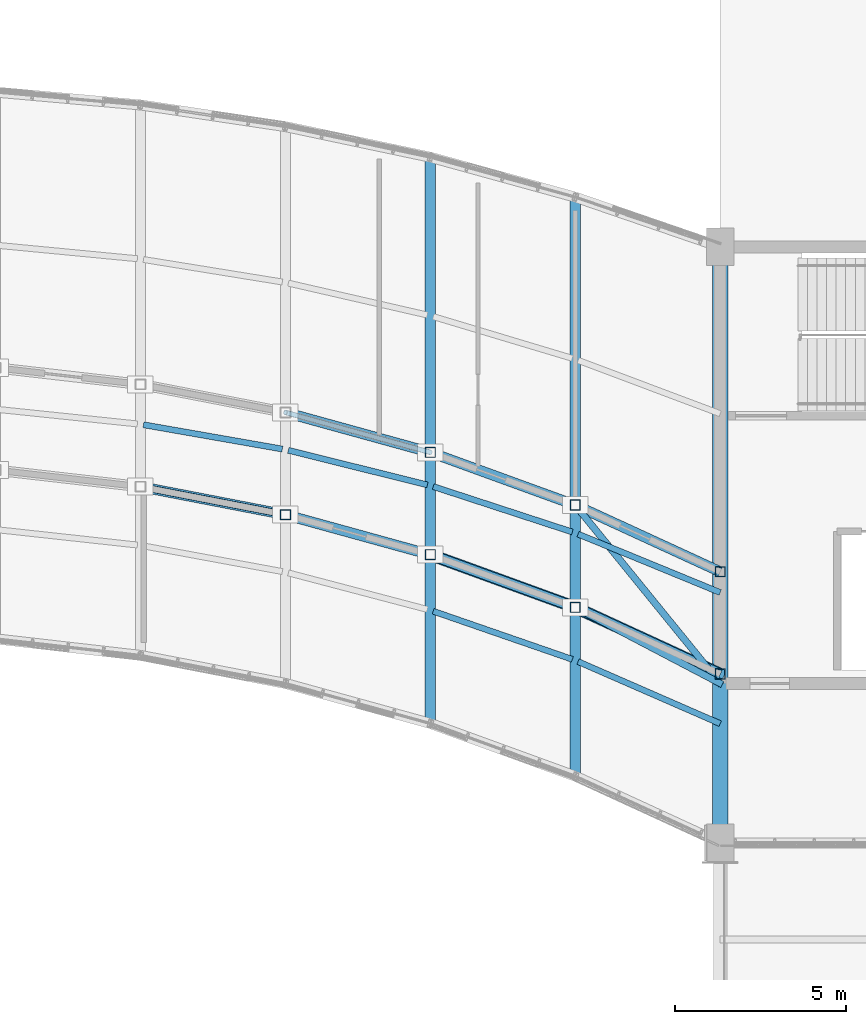
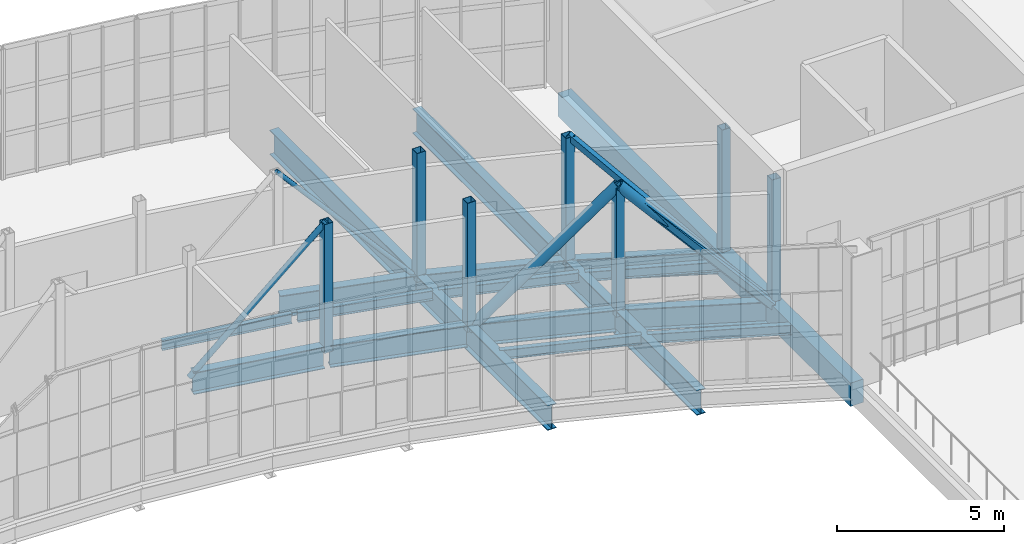
# One storey, part 40 of 86: 16 beams, 13 members.
"""IFC4 building model written with IfcOpenShell, lengths in metres."""

from ifc_helpers import new_model, si_unit, direction, frame, origin, origin_2d, place, context, subcontext, project, spatial, rectangle, hollow_rectangle, hollow_circle, i_section, extrude, material, material_profile, profile_set, type_object, element, save


model = new_model("IFC4")

# Units and contexts
model_context = context("Model", 3, precision=1e-05, world=origin(), true_north=direction((0.0, 1.0)))
body_context = subcontext(model_context, "Body", "Model", "MODEL_VIEW")
ifc_project = project(units=[si_unit("LENGTHUNIT", "METRE"), si_unit("AREAUNIT", "SQUARE_METRE"), si_unit("VOLUMEUNIT", "CUBIC_METRE"), si_unit("PLANEANGLEUNIT", "RADIAN"), si_unit("MASSUNIT", "GRAM", prefix="KILO")], contexts=[model_context])

# Site, building, storey
site_placement = place(None, origin())
site = spatial("IfcSite", under=ifc_project, at=site_placement, CompositionType="ELEMENT")
building_placement = place(site_placement, origin())
building = spatial("IfcBuilding", under=site, at=building_placement, Name="Solvikara Media Centre", CompositionType="ELEMENT")
storey_placement = place(building_placement, frame((0.0, 0.0, 15.0)))
storey = spatial("IfcBuildingStorey", under=building, at=storey_placement, Name="L03", CompositionType="ELEMENT", Elevation=15.0)

# Beams
ifc_material_1 = material(Name="Concrete fc' 35 MPa (C35/45)", Category="concrete")
ifc_material_profile_1 = material_profile(ifc_material_1, rectangle(XDim=0.449951171875, YDim=0.85009765625, at=origin_2d()), Name="RC 450x850")
ifc_profile_set_1 = profile_set([ifc_material_profile_1], Name="Concrete fc' 35 MPa (C35/45)")
beam_type_1 = type_object("IfcBeamType", Name="BM-14", PredefinedType="SPANDREL", material=ifc_profile_set_1)
beam_1_placement = place(storey_placement, frame((127.5, 19.323974609375, -0.64501953125), z_axis=(0.0, 1.0, 0.0), x_axis=(-1.0, 0.0, 0.0)))
element("IfcBeam", 1, at=beam_1_placement, inside=storey, type_object=beam_type_1, Name="B-L03-Y1286", PredefinedType="SPANDREL", context=body_context, shape_type="SweptSolid", body=[
    extrude(rectangle(XDim=0.449951171875, YDim=0.85009765625, at=origin_2d()), origin(), (0.0, 0.0, 1.0), 17.47607421875),
])
ifc_material_2 = material(Name="Steel S355JR", Category="steel")
ifc_material_profile_2 = material_profile(ifc_material_2, i_section(OverallWidth=0.300048828125, OverallDepth=0.89990234375, WebThickness=0.01611328125, FlangeThickness=0.028076171875, at=origin_2d()), Name="WF 900x300x16x28")
ifc_profile_set_2 = profile_set([ifc_material_profile_2], Name="Steel S355JR")
beam_type_2 = type_object("IfcBeamType", Name="BM-15", PredefinedType="BEAM", material=ifc_profile_set_2)
beam_2_placement = place(storey_placement, frame((119.0, 22.823974609375, -0.672119140625), z_axis=(0.0, 1.0, 0.0), x_axis=(-1.0, 0.0, 0.0)))
element("IfcBeam", 2, at=beam_2_placement, inside=storey, type_object=beam_type_2, Name="BG-L03-NS-10", PredefinedType="BEAM", context=body_context, shape_type="SweptSolid", body=[
    extrude(i_section(OverallWidth=0.300048828125, OverallDepth=0.89990234375, WebThickness=0.01611328125, FlangeThickness=0.028076171875, at=origin_2d()), origin(), (0.0, 0.0, 1.0), 16.60693359375),
])
beam_3_placement = place(storey_placement, frame((123.25, 21.279052734375, -0.672119140625), z_axis=(0.0, 1.0, 0.0), x_axis=(-1.0, 0.0, 0.0)))
element("IfcBeam", 3, at=beam_3_placement, inside=storey, type_object=beam_type_2, Name="BG-L03-NS-11", PredefinedType="BEAM", context=body_context, shape_type="SweptSolid", body=[
    extrude(i_section(OverallWidth=0.300048828125, OverallDepth=0.89990234375, WebThickness=0.01611328125, FlangeThickness=0.028076171875, at=origin_2d()), origin(), (0.0, 0.0, 1.0), 16.98095703125),
])
ifc_material_profile_3 = material_profile(ifc_material_2, i_section(OverallWidth=0.300048828125, OverallDepth=0.800048828125, WebThickness=0.013916015625, FlangeThickness=0.02587890625, at=origin_2d()), Name="WF 800x300x14x26")
ifc_profile_set_3 = profile_set([ifc_material_profile_3], Name="Steel S355JR")
beam_type_3 = type_object("IfcBeamType", Name="BM-16", PredefinedType="BEAM", material=ifc_profile_set_3)
beam_4_placement = place(storey_placement, frame((110.587890625, 29.7509765625, -0.6220703125), z_axis=(0.981801087979, -0.189912147171, 0.0), x_axis=(0.189912147171, 0.981801087979, 0.0)))
element("IfcBeam", 4, at=beam_4_placement, inside=storey, type_object=beam_type_3, Name="B-L03-SPNS-08", PredefinedType="BEAM", context=body_context, shape_type="SweptSolid", body=[
    extrude(i_section(OverallWidth=0.300048828125, OverallDepth=0.800048828125, WebThickness=0.013916015625, FlangeThickness=0.02587890625, at=origin_2d()), origin(), (0.0, 0.0, 1.0), 4.149658203125),
])
for number, where, z_axis, x_axis, name in (
    (5, (114.8369140625, 28.922119140625, -0.6220703125), (0.964019154447, -0.265832785522, 0.0), (0.265832785522, 0.964019154447, 0.0), "B-L03-SPNS-09"),
    (6, (114.8369140625, 31.922119140625, -0.6220703125), (0.964019154447, -0.265832785522, 0.0), (0.265832785522, 0.964019154447, 0.0), "B-L03-SPNN-09"),
):
    element("IfcBeam", number, at=place(storey_placement, frame(where, z_axis=z_axis, x_axis=x_axis)), inside=storey, type_object=beam_type_3, Name=name, PredefinedType="BEAM", context=body_context, shape_type="SweptSolid", body=[
        extrude(i_section(OverallWidth=0.300048828125, OverallDepth=0.800048828125, WebThickness=0.013916015625, FlangeThickness=0.02587890625, at=origin_2d()), origin(), (0.0, 0.0, 1.0), 4.228271484375),
    ])
for number, where, z_axis, x_axis, name in (
    (7, (119.0849609375, 27.742919921875, -0.6220703125), (0.939849238439, -0.341589532927, 0.0), (0.341589532927, 0.939849238439, 0.0), "B-L03-SPNS-10"),
    (8, (119.0849609375, 30.742919921875, -0.6220703125), (0.939849238439, -0.341589532927, 0.0), (0.341589532927, 0.939849238439, 0.0), "B-L03-SPNN-10"),
):
    element("IfcBeam", number, at=place(storey_placement, frame(where, z_axis=z_axis, x_axis=x_axis)), inside=storey, type_object=beam_type_3, Name=name, PredefinedType="BEAM", context=body_context, shape_type="SweptSolid", body=[
        extrude(i_section(OverallWidth=0.300048828125, OverallDepth=0.800048828125, WebThickness=0.013916015625, FlangeThickness=0.02587890625, at=origin_2d()), origin(), (0.0, 0.0, 1.0), 4.34130859375),
    ])
for number, where, z_axis, x_axis, name in (
    (9, (123.33203125, 26.19091796875, -0.6220703125), (0.908513080243, -0.417856414367, 0.0), (0.417856414367, 0.908513080243, 0.0), "B-L03-SPNS-11"),
    (10, (123.33203125, 29.19091796875, -0.6220703125), (0.908513080243, -0.417856414367, 0.0), (0.417856414367, 0.908513080243, 0.0), "B-L03-SPNN-11"),
):
    element("IfcBeam", number, at=place(storey_placement, frame(where, z_axis=z_axis, x_axis=x_axis)), inside=storey, type_object=beam_type_3, Name=name, PredefinedType="BEAM", context=body_context, shape_type="SweptSolid", body=[
        extrude(i_section(OverallWidth=0.300048828125, OverallDepth=0.800048828125, WebThickness=0.013916015625, FlangeThickness=0.02587890625, at=origin_2d()), origin(), (0.0, 0.0, 1.0), 4.587646484375),
    ])
ifc_material_profile_4 = material_profile(ifc_material_2, i_section(OverallWidth=0.175048828125, OverallDepth=0.35009765625, WebThickness=0.007080078125, FlangeThickness=0.010986328125, at=origin_2d()), Name="WF 350x175x7x11")
ifc_profile_set_4 = profile_set([ifc_material_profile_4], Name="Steel S355JR")
beam_type_4 = type_object("IfcBeamType", Name="BM-22", PredefinedType="JOIST", material=ifc_profile_set_4)
beam_5_placement = place(storey_placement, frame((110.589111328125, 31.583984375, -0.39697265625), z_axis=(0.985016925608, -0.172457694134, 0.0), x_axis=(0.172457694134, 0.985016925608, 0.0)))
element("IfcBeam", 11, at=beam_5_placement, inside=storey, type_object=beam_type_4, Name="BJ-L03-08-42", PredefinedType="JOIST", context=body_context, shape_type="SweptSolid", body=[
    extrude(i_section(OverallWidth=0.175048828125, OverallDepth=0.35009765625, WebThickness=0.007080078125, FlangeThickness=0.010986328125, at=origin_2d()), origin(), (0.0, 0.0, 1.0), 4.1337890625),
])
beam_6_placement = place(storey_placement, frame((114.8369140625, 30.833984375, -0.39697265625), z_axis=(0.970483457867, -0.241167696855, 0.0), x_axis=(0.241167696855, 0.970483457867, 0.0)))
element("IfcBeam", 12, at=beam_6_placement, inside=storey, type_object=beam_type_4, Name="BJ-L03-09-42", PredefinedType="JOIST", context=body_context, shape_type="SweptSolid", body=[
    extrude(i_section(OverallWidth=0.175048828125, OverallDepth=0.35009765625, WebThickness=0.007080078125, FlangeThickness=0.010986328125, at=origin_2d()), origin(), (0.0, 0.0, 1.0), 4.2001953125),
])
beam_7_placement = place(storey_placement, frame((119.0849609375, 26.115966796875, -0.39697265625), z_axis=(0.945019683137, -0.327013453063, 0.0), x_axis=(0.327013453063, 0.945019683137, 0.0)))
element("IfcBeam", 13, at=beam_7_placement, inside=storey, type_object=beam_type_4, Name="BJ-L03-10-20", PredefinedType="JOIST", context=body_context, shape_type="SweptSolid", body=[
    extrude(i_section(OverallWidth=0.175048828125, OverallDepth=0.35009765625, WebThickness=0.007080078125, FlangeThickness=0.010986328125, at=origin_2d()), origin(), (0.0, 0.0, 1.0), 4.3173828125),
])
beam_8_placement = place(storey_placement, frame((119.0859375, 29.77099609375, -0.39697265625), z_axis=(0.950578037944, -0.310485738447, 0.0), x_axis=(0.310485738447, 0.950578037944, 0.0)))
element("IfcBeam", 14, at=beam_8_placement, inside=storey, type_object=beam_type_4, Name="BJ-L03-10-42", PredefinedType="JOIST", context=body_context, shape_type="SweptSolid", body=[
    extrude(i_section(OverallWidth=0.175048828125, OverallDepth=0.35009765625, WebThickness=0.007080078125, FlangeThickness=0.010986328125, at=origin_2d()), origin(), (0.0, 0.0, 1.0), 4.2900390625),
])
beam_9_placement = place(storey_placement, frame((123.33203125, 24.638916015625, -0.39697265625), z_axis=(0.916452774581, -0.40014286444, 0.0), x_axis=(0.40014286444, 0.916452774581, 0.0)))
element("IfcBeam", 15, at=beam_9_placement, inside=storey, type_object=beam_type_4, Name="BJ-L03-11-20", PredefinedType="JOIST", context=body_context, shape_type="SweptSolid", body=[
    extrude(i_section(OverallWidth=0.175048828125, OverallDepth=0.35009765625, WebThickness=0.007080078125, FlangeThickness=0.010986328125, at=origin_2d()), origin(), (0.0, 0.0, 1.0), 4.5478515625),
])
beam_10_placement = place(storey_placement, frame((123.3330078125, 28.376953125, -0.39697265625), z_axis=(0.924906874056, -0.380193732621, 0.0), x_axis=(0.380193732621, 0.924906874056, 0.0)))
element("IfcBeam", 16, at=beam_10_placement, inside=storey, type_object=beam_type_4, Name="BJ-L03-11-42", PredefinedType="JOIST", context=body_context, shape_type="SweptSolid", body=[
    extrude(i_section(OverallWidth=0.175048828125, OverallDepth=0.35009765625, WebThickness=0.007080078125, FlangeThickness=0.010986328125, at=origin_2d()), origin(), (0.0, 0.0, 1.0), 4.50537109375),
])

# Members
ifc_material_profile_5 = material_profile(ifc_material_2, hollow_circle(Radius=0.177734375, WallThickness=0.012451171875, at=origin_2d()), Name="CHS 355.6x12.5")
ifc_profile_set_5 = profile_set([ifc_material_profile_5], Name="Steel S355JR")
member_type_1 = type_object("IfcMemberType", Name="MB-01", PredefinedType="CHORD", material=ifc_profile_set_5)
member_1_placement = place(storey_placement, frame((119.0, 27.77392578125, -0.449951171875), z_axis=(0.651622673154, -0.236872028706, 0.720610528544), x_axis=(0.341639024821, 0.939831249065, 0.0)))
element("IfcMember", 17, at=member_1_placement, inside=storey, type_object=member_type_1, Name="WTR-L03-S-DA10", PredefinedType="CHORD", context=body_context, shape_type="SweptSolid", body=[
    extrude(hollow_circle(Radius=0.177734375, WallThickness=0.012451171875, at=origin_2d()), origin(), (0.0, 0.0, 1.0), 6.522216796875),
])
member_2_placement = place(storey_placement, frame((123.25, 26.22900390625, 4.25), z_axis=(0.640898285168, -0.294824992396, -0.708750740336), x_axis=(0.417919391673, 0.908484112169, 0.0)))
element("IfcMember", 18, at=member_2_placement, inside=storey, type_object=member_type_1, Name="WTR-L03-S-DB11", PredefinedType="CHORD", context=body_context, shape_type="SweptSolid", body=[
    extrude(hollow_circle(Radius=0.177734375, WallThickness=0.012451171875, at=origin_2d()), origin(), (0.0, 0.0, 1.0), 6.63134765625),
])
ifc_material_profile_6 = material_profile(ifc_material_2, hollow_circle(Radius=0.096923828125, WallThickness=0.008056640625, at=origin_2d()), Name="CHS 193.7x8")
ifc_profile_set_6 = profile_set([ifc_material_profile_6], Name="Steel S355JR")
member_type_2 = type_object("IfcMemberType", Name="MB-06", PredefinedType="BRACE", material=ifc_profile_set_6)
member_3_placement = place(storey_placement, frame((110.5, 29.76806640625, -0.449951171875), z_axis=(0.665137067971, -0.128648696453, 0.735555704016), x_axis=(0.189897396029, 0.981803941213, 0.0)))
element("IfcMember", 19, at=member_3_placement, inside=storey, type_object=member_type_2, Name="WTR-L03-S-DA08", PredefinedType="BRACE", context=body_context, shape_type="SweptSolid", body=[
    extrude(hollow_circle(Radius=0.096923828125, WallThickness=0.008056640625, at=origin_2d()), origin(), (0.0, 0.0, 1.0), 6.3896484375),
])
ifc_material_profile_7 = material_profile(ifc_material_2, hollow_rectangle(XDim=0.300048828125, YDim=0.300048828125, WallThickness=0.012451171875, at=origin_2d()), Name="RHS 300x300x12.5")
ifc_profile_set_7 = profile_set([ifc_material_profile_7], Name="Steel S355JR")
member_type_3 = type_object("IfcMemberType", Name="MB-11", PredefinedType="CHORD", material=ifc_profile_set_7)
for number, where, z_axis, x_axis, name in (
    (20, (114.75, 28.946044921875, -0.449951171875), (0.0, 0.0, 1.0), (1.0, 0.0, 0.0), "WTR-L03-S-V09"),
    (21, (119.0, 27.77392578125, -0.449951171875), (0.0, 0.0, 1.0), (1.0, 0.0, 0.0), "WTR-L03-S-V10"),
    (22, (123.25, 26.22900390625, -0.449951171875), (0.0, 0.0, 1.0), (1.0, 0.0, 0.0), "WTR-L03-S-V11"),
    (23, (127.5, 24.27392578125, -0.449951171875), (0.0, 0.0, 1.0), (1.0, 0.0, 0.0), "WTR-L03-S-V12"),
    (24, (119.0, 30.77392578125, -0.449951171875), (0.0, 0.0, 1.0), (1.0, 0.0, 0.0), "WTR-L03-N-V10"),
    (25, (123.25, 29.22900390625, -0.449951171875), (0.0, 0.0, 1.0), (1.0, 0.0, 0.0), "WTR-L03-N-V11"),
    (26, (127.5, 27.27392578125, -0.449951171875), (0.0, 0.0, 1.0), (1.0, 0.0, 0.0), "WTR-L03-N-V12"),
):
    element("IfcMember", number, at=place(storey_placement, frame(where, z_axis=z_axis, x_axis=x_axis)), inside=storey, type_object=member_type_3, Name=name, PredefinedType="CHORD", context=body_context, shape_type="SweptSolid", body=[
        extrude(hollow_rectangle(XDim=0.300048828125, YDim=0.300048828125, WallThickness=0.012451171875, at=origin_2d()), origin(), (0.0, 0.0, 1.0), 4.699951171875),
    ])
ifc_material_profile_8 = material_profile(ifc_material_2, hollow_rectangle(XDim=0.199951171875, YDim=0.199951171875, WallThickness=0.008056640625, at=origin_2d()), Name="RHS 200x200x8")
ifc_profile_set_8 = profile_set([ifc_material_profile_8], Name="Steel S355JR")
member_type_4 = type_object("IfcMemberType", Name="MB-13", PredefinedType="BRACE", material=ifc_profile_set_8)
member_4_placement = place(storey_placement, frame((127.5, 24.0, -0.449951171875), z_axis=(-0.632706040868, 0.331836290965, 0.699691176054), x_axis=(-0.464466958116, -0.885590449823, 0.0)))
element("IfcMember", 27, at=member_4_placement, inside=storey, type_object=member_type_4, Name="WTR-L03-S-ANCE", PredefinedType="BRACE", context=body_context, shape_type="SweptSolid", body=[
    extrude(hollow_rectangle(XDim=0.199951171875, YDim=0.199951171875, WallThickness=0.008056640625, at=origin_2d()), origin(), (0.0, 0.0, 1.0), 6.71728515625),
])
member_5_placement = place(storey_placement, frame((127.5, 24.0, -0.449951171875), z_axis=(-0.5173145151, 0.636479910639, 0.572083049758), x_axis=(-0.77600981283, -0.63072083396, 0.0)))
element("IfcMember", 28, at=member_5_placement, inside=storey, type_object=member_type_4, Name="WTR-L03-N-ANCE", PredefinedType="BRACE", context=body_context, shape_type="SweptSolid", body=[
    extrude(hollow_rectangle(XDim=0.199951171875, YDim=0.199951171875, WallThickness=0.008056640625, at=origin_2d()), origin(), (0.0, 0.0, 1.0), 8.215576171875),
])
ifc_material_profile_9 = material_profile(ifc_material_2, hollow_circle(Radius=0.076171875, WallThickness=0.00634765625, at=origin_2d()), Name="CHS 152.4x6.3")
ifc_profile_set_9 = profile_set([ifc_material_profile_9], Name="Steel S355JR")
member_type_5 = type_object("IfcMemberType", Name="MB-29", PredefinedType="BRACE", material=ifc_profile_set_9)
member_6_placement = place(storey_placement, frame((114.75, 31.946044921875, 4.25), z_axis=(0.659522142118, -0.181891417986, -0.729346321112), x_axis=(0.265866889221, 0.964009749544, 0.0)))
element("IfcMember", 29, at=member_6_placement, inside=storey, type_object=member_type_5, Name="WTR-L03-N-DB09", PredefinedType="BRACE", context=body_context, shape_type="SweptSolid", body=[
    extrude(hollow_circle(Radius=0.076171875, WallThickness=0.00634765625, at=origin_2d()), origin(), (0.0, 0.0, 1.0), 6.444091796875),
])

save(model, "model.ifc")
